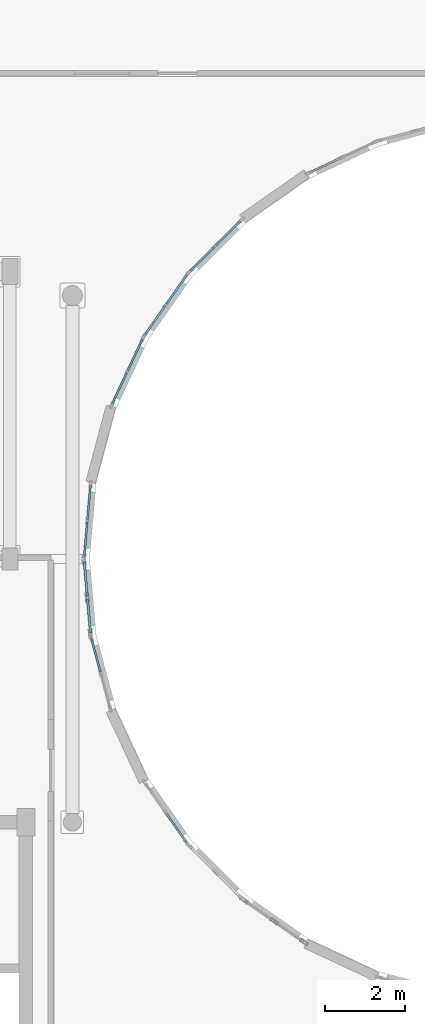
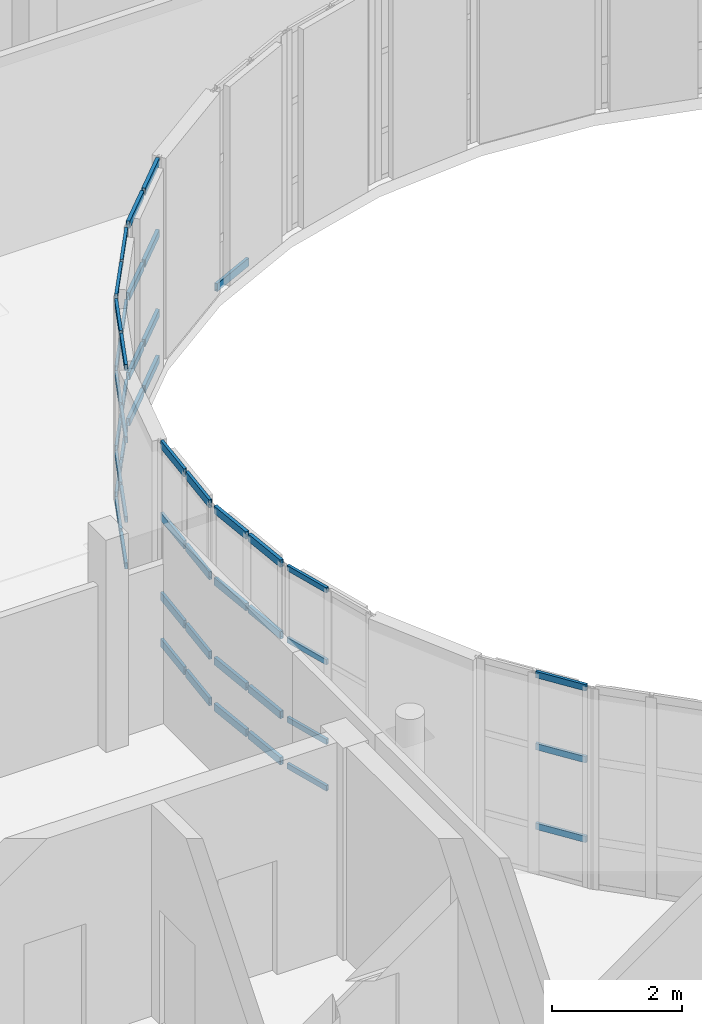
# One storey, part 47 of 89: 48 members, 8 elements without a shape of their own.
"""IFC4 building model written with IfcOpenShell, lengths in metres."""

from ifc_helpers import new_model, si_unit, direction, frame, origin, origin_2d, place, context, subcontext, project, spatial, hollow_rectangle, extrude, material, layer, layer_set, material_profile, profile_set, type_object, element, aggregate, save


model = new_model("IFC4")

# Units and contexts
model_context = context("Model", 3, precision=1e-05, world=origin(), true_north=direction((0.0, 1.0)))
body_context = subcontext(model_context, "Body", "Model", "MODEL_VIEW")
ifc_project = project(units=[si_unit("LENGTHUNIT", "METRE"), si_unit("AREAUNIT", "SQUARE_METRE"), si_unit("VOLUMEUNIT", "CUBIC_METRE"), si_unit("PLANEANGLEUNIT", "RADIAN"), si_unit("MASSUNIT", "GRAM", prefix="KILO")], contexts=[model_context])

# Site, building, storey
site_placement = place(None, origin())
site = spatial("IfcSite", under=ifc_project, at=site_placement, CompositionType="ELEMENT")
building_placement = place(site_placement, origin())
building = spatial("IfcBuilding", under=site, at=building_placement, Name="Kelanivale Promenade Academy", CompositionType="ELEMENT")
storey_placement = place(building_placement, frame((0.0, 0.0, 12.199951171875)))
storey = spatial("IfcBuildingStorey", under=building, at=storey_placement, Name="L03", CompositionType="ELEMENT", Elevation=12.199951171875)

# Curtain wall, members
ifc_material_1 = material(Name="Bronze anodised aluminium and solar-control low-E glass", Category="aluminium")
ifc_layer_1 = layer(ifc_material_1, 0.159912109375)
ifc_layer_set_1 = layer_set([ifc_layer_1], Name="Bronze anodised aluminium and solar-control low-E glass")
curtain_wall_type_1 = type_object("IfcCurtainWallType", Name="CW-21 Curtain Wall 1650mm Module", PredefinedType="USERDEFINED", material=ifc_layer_set_1)
curtain_wall_1_placement = place(storey_placement, origin())
curtain_wall_1 = element("IfcCurtainWall", 1, at=curtain_wall_1_placement, inside=storey, type_object=curtain_wall_type_1, Name="L03 courtyard curtain wall CW-21", ObjectType="COURTYARD SCREEN GLAZING", PredefinedType="USERDEFINED")
ifc_material_2 = material(Name="Bronze anodised aluminium EN AW-6063 T6", Category="aluminium")
ifc_material_profile_1 = material_profile(ifc_material_2, hollow_rectangle(XDim=0.050048828125, YDim=0.10009765625, WallThickness=0.0029296875, at=origin_2d()), Name="ALU 50x100x3.0")
ifc_profile_set_1 = profile_set([ifc_material_profile_1], Name="Bronze anodised aluminium EN AW-6063 T6")
member_type_1 = type_object("IfcMemberType", Name="CWT-01 ALU 50x100x3.0", PredefinedType="USERDEFINED", material=ifc_profile_set_1)
member_1_placement = place(storey_placement, frame((54.82470703125, 63.90185546875, 0.025146484375), z_axis=(-0.573745168069, -0.819033871166, 0.0), x_axis=(0.819033871166, -0.573745168069, 0.0)))
member_1 = element("IfcMember", 2, at=member_1_placement, type_object=member_type_1, Name="CW-21 transom 1.1", ObjectType="TRANSOM", PredefinedType="USERDEFINED", context=body_context, shape_type="SweptSolid", body=[
    extrude(hollow_rectangle(XDim=0.050048828125, YDim=0.10009765625, WallThickness=0.0029296875, at=origin_2d()), origin(), (0.0, 0.0, 1.0), 0.868896484375),
])
member_2_placement = place(storey_placement, frame((54.82470703125, 63.90185546875, 0.900146484375), z_axis=(-0.573745168069, -0.819033871166, 0.0), x_axis=(0.819033871166, -0.573745168069, 0.0)))
member_2 = element("IfcMember", 3, at=member_2_placement, type_object=member_type_1, Name="CW-21 transom 1.2", ObjectType="TRANSOM", PredefinedType="USERDEFINED", context=body_context, shape_type="SweptSolid", body=[
    extrude(hollow_rectangle(XDim=0.050048828125, YDim=0.10009765625, WallThickness=0.0029296875, at=origin_2d()), origin(), (0.0, 0.0, 1.0), 0.868896484375),
])
member_3_placement = place(storey_placement, frame((54.82470703125, 63.90185546875, 2.400146484375), z_axis=(-0.573745168069, -0.819033871166, 0.0), x_axis=(0.819033871166, -0.573745168069, 0.0)))
member_3 = element("IfcMember", 4, at=member_3_placement, type_object=member_type_1, Name="CW-21 transom 1.3", ObjectType="TRANSOM", PredefinedType="USERDEFINED", context=body_context, shape_type="SweptSolid", body=[
    extrude(hollow_rectangle(XDim=0.050048828125, YDim=0.10009765625, WallThickness=0.0029296875, at=origin_2d()), origin(), (0.0, 0.0, 1.0), 0.868896484375),
])
member_4_placement = place(storey_placement, frame((54.82470703125, 63.90185546875, 3.755126953125), z_axis=(-0.573745168069, -0.819033871166, 0.0), x_axis=(0.819033871166, -0.573745168069, 0.0)))
member_4 = element("IfcMember", 5, at=member_4_placement, type_object=member_type_1, Name="CW-21 transom 1.4", ObjectType="TRANSOM", PredefinedType="USERDEFINED", context=body_context, shape_type="SweptSolid", body=[
    extrude(hollow_rectangle(XDim=0.050048828125, YDim=0.10009765625, WallThickness=0.0029296875, at=origin_2d()), origin(), (0.0, 0.0, 1.0), 0.868896484375),
])
member_5_placement = place(storey_placement, frame((54.291748046875, 63.140869140625, 0.025146484375), z_axis=(-0.573556641726, -0.819165904278, 0.0), x_axis=(0.819165904278, -0.573556641726, 0.0)))
member_5 = element("IfcMember", 6, at=member_5_placement, type_object=member_type_1, Name="CW-21 transom 2.1", ObjectType="TRANSOM", PredefinedType="USERDEFINED", context=body_context, shape_type="SweptSolid", body=[
    extrude(hollow_rectangle(XDim=0.050048828125, YDim=0.10009765625, WallThickness=0.0029296875, at=origin_2d()), origin(), (0.0, 0.0, 1.0), 0.86865234375),
])
member_6_placement = place(storey_placement, frame((54.291748046875, 63.140869140625, 0.900146484375), z_axis=(-0.573556641726, -0.819165904278, 0.0), x_axis=(0.819165904278, -0.573556641726, 0.0)))
member_6 = element("IfcMember", 7, at=member_6_placement, type_object=member_type_1, Name="CW-21 transom 2.2", ObjectType="TRANSOM", PredefinedType="USERDEFINED", context=body_context, shape_type="SweptSolid", body=[
    extrude(hollow_rectangle(XDim=0.050048828125, YDim=0.10009765625, WallThickness=0.0029296875, at=origin_2d()), origin(), (0.0, 0.0, 1.0), 0.86865234375),
])
member_7_placement = place(storey_placement, frame((54.291748046875, 63.140869140625, 2.400146484375), z_axis=(-0.573556641726, -0.819165904278, 0.0), x_axis=(0.819165904278, -0.573556641726, 0.0)))
member_7 = element("IfcMember", 8, at=member_7_placement, type_object=member_type_1, Name="CW-21 transom 2.3", ObjectType="TRANSOM", PredefinedType="USERDEFINED", context=body_context, shape_type="SweptSolid", body=[
    extrude(hollow_rectangle(XDim=0.050048828125, YDim=0.10009765625, WallThickness=0.0029296875, at=origin_2d()), origin(), (0.0, 0.0, 1.0), 0.86865234375),
])
member_8_placement = place(storey_placement, frame((54.291748046875, 63.140869140625, 3.755126953125), z_axis=(-0.573556641726, -0.819165904278, 0.0), x_axis=(0.819165904278, -0.573556641726, 0.0)))
member_8 = element("IfcMember", 9, at=member_8_placement, type_object=member_type_1, Name="CW-21 transom 2.4", ObjectType="TRANSOM", PredefinedType="USERDEFINED", context=body_context, shape_type="SweptSolid", body=[
    extrude(hollow_rectangle(XDim=0.050048828125, YDim=0.10009765625, WallThickness=0.0029296875, at=origin_2d()), origin(), (0.0, 0.0, 1.0), 0.86865234375),
])
aggregate(curtain_wall_1, [member_1, member_2, member_3, member_4, member_5, member_6, member_7, member_8])

ifc_layer_2 = layer(ifc_material_1, 0.169921875)
ifc_layer_set_2 = layer_set([ifc_layer_2], Name="Bronze anodised aluminium and solar-control low-E glass")
curtain_wall_type_2 = type_object("IfcCurtainWallType", Name="CW-01 Curtain Wall 1350mm Module", PredefinedType="USERDEFINED", material=ifc_layer_set_2)
curtain_wall_2_placement = place(storey_placement, origin())
curtain_wall_2 = element("IfcCurtainWall", 10, at=curtain_wall_2_placement, inside=storey, type_object=curtain_wall_type_2, Name="L03 courtyard curtain wall CW-01", ObjectType="UNITISED GLAZING", PredefinedType="USERDEFINED")
member_9_placement = place(storey_placement, frame((52.447509765625, 54.796142578125, 0.025146484375), z_axis=(0.258438617024, -0.9660276814, 0.0), x_axis=(0.9660276814, 0.258438617024, 0.0)))
member_9 = element("IfcMember", 11, at=member_9_placement, type_object=member_type_1, Name="CW-01 transom 1.1", ObjectType="TRANSOM", PredefinedType="USERDEFINED", context=body_context, shape_type="SweptSolid", body=[
    extrude(hollow_rectangle(XDim=0.050048828125, YDim=0.10009765625, WallThickness=0.0029296875, at=origin_2d()), origin(), (0.0, 0.0, 1.0), 0.861572265625),
])
member_10_placement = place(storey_placement, frame((52.447509765625, 54.796142578125, 0.900146484375), z_axis=(0.258438617024, -0.9660276814, 0.0), x_axis=(0.9660276814, 0.258438617024, 0.0)))
member_10 = element("IfcMember", 12, at=member_10_placement, type_object=member_type_1, Name="CW-01 transom 1.2", ObjectType="TRANSOM", PredefinedType="USERDEFINED", context=body_context, shape_type="SweptSolid", body=[
    extrude(hollow_rectangle(XDim=0.050048828125, YDim=0.10009765625, WallThickness=0.0029296875, at=origin_2d()), origin(), (0.0, 0.0, 1.0), 0.861572265625),
])
member_11_placement = place(storey_placement, frame((52.447509765625, 54.796142578125, 2.400146484375), z_axis=(0.258438617024, -0.9660276814, 0.0), x_axis=(0.9660276814, 0.258438617024, 0.0)))
member_11 = element("IfcMember", 13, at=member_11_placement, type_object=member_type_1, Name="CW-01 transom 1.3", ObjectType="TRANSOM", PredefinedType="USERDEFINED", context=body_context, shape_type="SweptSolid", body=[
    extrude(hollow_rectangle(XDim=0.050048828125, YDim=0.10009765625, WallThickness=0.0029296875, at=origin_2d()), origin(), (0.0, 0.0, 1.0), 0.861572265625),
])
member_12_placement = place(storey_placement, frame((52.447509765625, 54.796142578125, 3.755126953125), z_axis=(0.258438617024, -0.9660276814, 0.0), x_axis=(0.9660276814, 0.258438617024, 0.0)))
member_12 = element("IfcMember", 14, at=member_12_placement, type_object=member_type_1, Name="CW-01 transom 1.4", ObjectType="TRANSOM", PredefinedType="USERDEFINED", context=body_context, shape_type="SweptSolid", body=[
    extrude(hollow_rectangle(XDim=0.050048828125, YDim=0.10009765625, WallThickness=0.0029296875, at=origin_2d()), origin(), (0.0, 0.0, 1.0), 0.861572265625),
])
aggregate(curtain_wall_2, [member_9, member_10, member_11, member_12])

ifc_layer_3 = layer(ifc_material_1, 0.169921875)
ifc_layer_set_3 = layer_set([ifc_layer_3], Name="Bronze anodised aluminium and solar-control low-E glass")
curtain_wall_type_3 = type_object("IfcCurtainWallType", Name="CW-22 Curtain Wall 1800mm Module", PredefinedType="USERDEFINED", material=ifc_layer_set_3)
curtain_wall_3_placement = place(storey_placement, origin())
curtain_wall_3 = element("IfcCurtainWall", 15, at=curtain_wall_3_placement, inside=storey, type_object=curtain_wall_type_3, Name="L03 courtyard curtain wall CW-22", ObjectType="COURTYARD SCREEN GLAZING", PredefinedType="USERDEFINED")
ifc_material_profile_2 = material_profile(ifc_material_2, hollow_rectangle(XDim=0.050048828125, YDim=0.1201171875, WallThickness=0.0029296875, at=origin_2d()), Name="ALU 50x120x3.0")
ifc_profile_set_2 = profile_set([ifc_material_profile_2], Name="Bronze anodised aluminium EN AW-6063 T6")
member_type_2 = type_object("IfcMemberType", Name="CWT-02 ALU 50x120x3.0", PredefinedType="USERDEFINED", material=ifc_profile_set_2)
member_13_placement = place(storey_placement, frame((53.7216796875, 62.3046875, 0.025146484375), z_axis=(-0.423133693303, -0.906067258868, 0.0), x_axis=(0.906067258868, -0.423133693303, 0.0)))
member_13 = element("IfcMember", 16, at=member_13_placement, type_object=member_type_2, Name="CW-22 transom 1.1", ObjectType="TRANSOM", PredefinedType="USERDEFINED", context=body_context, shape_type="SweptSolid", body=[
    extrude(hollow_rectangle(XDim=0.050048828125, YDim=0.1201171875, WallThickness=0.0029296875, at=origin_2d()), origin(), (0.0, 0.0, 1.0), 0.861328125),
])
member_14_placement = place(storey_placement, frame((53.7216796875, 62.3046875, 0.900146484375), z_axis=(-0.423133693303, -0.906067258868, 0.0), x_axis=(0.906067258868, -0.423133693303, 0.0)))
member_14 = element("IfcMember", 17, at=member_14_placement, type_object=member_type_2, Name="CW-22 transom 1.2", ObjectType="TRANSOM", PredefinedType="USERDEFINED", context=body_context, shape_type="SweptSolid", body=[
    extrude(hollow_rectangle(XDim=0.050048828125, YDim=0.1201171875, WallThickness=0.0029296875, at=origin_2d()), origin(), (0.0, 0.0, 1.0), 0.861328125),
])
member_15_placement = place(storey_placement, frame((53.7216796875, 62.3046875, 2.400146484375), z_axis=(-0.423133693303, -0.906067258868, 0.0), x_axis=(0.906067258868, -0.423133693303, 0.0)))
member_15 = element("IfcMember", 18, at=member_15_placement, type_object=member_type_2, Name="CW-22 transom 1.3", ObjectType="TRANSOM", PredefinedType="USERDEFINED", context=body_context, shape_type="SweptSolid", body=[
    extrude(hollow_rectangle(XDim=0.050048828125, YDim=0.1201171875, WallThickness=0.0029296875, at=origin_2d()), origin(), (0.0, 0.0, 1.0), 0.861328125),
])
member_16_placement = place(storey_placement, frame((53.7216796875, 62.3046875, 3.755126953125), z_axis=(-0.423133693303, -0.906067258868, 0.0), x_axis=(0.906067258868, -0.423133693303, 0.0)))
member_16 = element("IfcMember", 19, at=member_16_placement, type_object=member_type_2, Name="CW-22 transom 1.4", ObjectType="TRANSOM", PredefinedType="USERDEFINED", context=body_context, shape_type="SweptSolid", body=[
    extrude(hollow_rectangle(XDim=0.050048828125, YDim=0.1201171875, WallThickness=0.0029296875, at=origin_2d()), origin(), (0.0, 0.0, 1.0), 0.861328125),
])
member_17_placement = place(storey_placement, frame((53.331787109375, 61.4697265625, 0.025146484375), z_axis=(-0.423242374701, -0.906016496681, 0.0), x_axis=(0.906016496681, -0.423242374701, 0.0)))
member_17 = element("IfcMember", 20, at=member_17_placement, type_object=member_type_2, Name="CW-22 transom 2.1", ObjectType="TRANSOM", PredefinedType="USERDEFINED", context=body_context, shape_type="SweptSolid", body=[
    extrude(hollow_rectangle(XDim=0.050048828125, YDim=0.1201171875, WallThickness=0.0029296875, at=origin_2d()), origin(), (0.0, 0.0, 1.0), 0.861328125),
])
member_18_placement = place(storey_placement, frame((53.331787109375, 61.4697265625, 0.900146484375), z_axis=(-0.423242374701, -0.906016496681, 0.0), x_axis=(0.906016496681, -0.423242374701, 0.0)))
member_18 = element("IfcMember", 21, at=member_18_placement, type_object=member_type_2, Name="CW-22 transom 2.2", ObjectType="TRANSOM", PredefinedType="USERDEFINED", context=body_context, shape_type="SweptSolid", body=[
    extrude(hollow_rectangle(XDim=0.050048828125, YDim=0.1201171875, WallThickness=0.0029296875, at=origin_2d()), origin(), (0.0, 0.0, 1.0), 0.861328125),
])
member_19_placement = place(storey_placement, frame((53.331787109375, 61.4697265625, 2.400146484375), z_axis=(-0.423242374701, -0.906016496681, 0.0), x_axis=(0.906016496681, -0.423242374701, 0.0)))
member_19 = element("IfcMember", 22, at=member_19_placement, type_object=member_type_2, Name="CW-22 transom 2.3", ObjectType="TRANSOM", PredefinedType="USERDEFINED", context=body_context, shape_type="SweptSolid", body=[
    extrude(hollow_rectangle(XDim=0.050048828125, YDim=0.1201171875, WallThickness=0.0029296875, at=origin_2d()), origin(), (0.0, 0.0, 1.0), 0.861328125),
])
member_20_placement = place(storey_placement, frame((53.331787109375, 61.4697265625, 3.755126953125), z_axis=(-0.423242374701, -0.906016496681, 0.0), x_axis=(0.906016496681, -0.423242374701, 0.0)))
member_20 = element("IfcMember", 23, at=member_20_placement, type_object=member_type_2, Name="CW-22 transom 2.4", ObjectType="TRANSOM", PredefinedType="USERDEFINED", context=body_context, shape_type="SweptSolid", body=[
    extrude(hollow_rectangle(XDim=0.050048828125, YDim=0.1201171875, WallThickness=0.0029296875, at=origin_2d()), origin(), (0.0, 0.0, 1.0), 0.861328125),
])
aggregate(curtain_wall_3, [member_13, member_14, member_15, member_16, member_17, member_18, member_19, member_20])

ifc_layer_4 = layer(ifc_material_1, 0.179931640625)
ifc_layer_set_4 = layer_set([ifc_layer_4], Name="Bronze anodised aluminium and solar-control low-E glass")
curtain_wall_type_4 = type_object("IfcCurtainWallType", Name="CW-02 Curtain Wall 1500mm Module", PredefinedType="USERDEFINED", material=ifc_layer_set_4)
curtain_wall_4_placement = place(storey_placement, origin())
curtain_wall_4 = element("IfcCurtainWall", 24, at=curtain_wall_4_placement, inside=storey, type_object=curtain_wall_type_4, Name="L03 courtyard curtain wall CW-02", ObjectType="UNITISED GLAZING", PredefinedType="USERDEFINED")
member_21_placement = place(storey_placement, frame((54.330810546875, 50.40380859375, 0.900146484375), z_axis=(0.573462344363, -0.819231920519, 0.0), x_axis=(0.819231920519, 0.573462344363, 0.0)))
member_21 = element("IfcMember", 25, at=member_21_placement, type_object=member_type_2, Name="CW-02 transom 2.2", ObjectType="TRANSOM", PredefinedType="USERDEFINED", context=body_context, shape_type="SweptSolid", body=[
    extrude(hollow_rectangle(XDim=0.050048828125, YDim=0.1201171875, WallThickness=0.0029296875, at=origin_2d()), origin(), (0.0, 0.0, 1.0), 0.861328125),
])
member_22_placement = place(storey_placement, frame((54.330810546875, 50.40380859375, 2.400146484375), z_axis=(0.573462344363, -0.819231920519, 0.0), x_axis=(0.819231920519, 0.573462344363, 0.0)))
member_22 = element("IfcMember", 26, at=member_22_placement, type_object=member_type_2, Name="CW-02 transom 2.3", ObjectType="TRANSOM", PredefinedType="USERDEFINED", context=body_context, shape_type="SweptSolid", body=[
    extrude(hollow_rectangle(XDim=0.050048828125, YDim=0.1201171875, WallThickness=0.0029296875, at=origin_2d()), origin(), (0.0, 0.0, 1.0), 0.861328125),
])
member_23_placement = place(storey_placement, frame((54.330810546875, 50.40380859375, 3.755126953125), z_axis=(0.573462344363, -0.819231920519, 0.0), x_axis=(0.819231920519, 0.573462344363, 0.0)))
member_23 = element("IfcMember", 27, at=member_23_placement, type_object=member_type_2, Name="CW-02 transom 2.4", ObjectType="TRANSOM", PredefinedType="USERDEFINED", context=body_context, shape_type="SweptSolid", body=[
    extrude(hollow_rectangle(XDim=0.050048828125, YDim=0.1201171875, WallThickness=0.0029296875, at=origin_2d()), origin(), (0.0, 0.0, 1.0), 0.861328125),
])
aggregate(curtain_wall_4, [member_21, member_22, member_23])

# Curtain wall, member
ifc_layer_5 = layer(ifc_material_1, 0.169921875)
ifc_layer_set_5 = layer_set([ifc_layer_5], Name="Bronze anodised aluminium and solar-control low-E glass")
curtain_wall_type_5 = type_object("IfcCurtainWallType", Name="CW-19 Curtain Wall 1350mm Module", PredefinedType="USERDEFINED", material=ifc_layer_set_5)
curtain_wall_5_placement = place(storey_placement, origin())
curtain_wall_5 = element("IfcCurtainWall", 28, at=curtain_wall_5_placement, inside=storey, type_object=curtain_wall_type_5, Name="L03 courtyard curtain wall CW-19", ObjectType="COURTYARD SCREEN GLAZING", PredefinedType="USERDEFINED")
ifc_material_profile_3 = material_profile(ifc_material_2, hollow_rectangle(XDim=0.050048828125, YDim=0.14990234375, WallThickness=0.00341796875, at=origin_2d()), Name="ALU 50x150x3.5")
ifc_profile_set_3 = profile_set([ifc_material_profile_3], Name="Bronze anodised aluminium EN AW-6063 T6")
member_type_3 = type_object("IfcMemberType", Name="CWT-03 ALU 50x150x3.5", PredefinedType="USERDEFINED", material=ifc_profile_set_3)
member_24_placement = place(storey_placement, frame((58.6875, 66.84765625, 0.025146484375), z_axis=(-0.906168528984, -0.42291677323, 0.0), x_axis=(0.42291677323, -0.906168528984, 0.0)))
member_24 = element("IfcMember", 29, at=member_24_placement, type_object=member_type_3, Name="CW-19 transom 2.1", ObjectType="TRANSOM", PredefinedType="USERDEFINED", context=body_context, shape_type="SweptSolid", body=[
    extrude(hollow_rectangle(XDim=0.050048828125, YDim=0.14990234375, WallThickness=0.00341796875, at=origin_2d()), origin(), (0.0, 0.0, 1.0), 0.853759765625),
])
aggregate(curtain_wall_5, [member_24])

# Curtain wall, members
ifc_layer_6 = layer(ifc_material_1, 0.179931640625)
ifc_layer_set_6 = layer_set([ifc_layer_6], Name="Bronze anodised aluminium and solar-control low-E glass")
curtain_wall_type_6 = type_object("IfcCurtainWallType", Name="CW-23 Curtain Wall 1950mm Module", PredefinedType="USERDEFINED", material=ifc_layer_set_6)
curtain_wall_6_placement = place(storey_placement, origin())
curtain_wall_6 = element("IfcCurtainWall", 30, at=curtain_wall_6_placement, inside=storey, type_object=curtain_wall_type_6, Name="L03 courtyard curtain wall CW-23", ObjectType="COURTYARD SCREEN GLAZING", PredefinedType="USERDEFINED")
member_25_placement = place(storey_placement, frame((52.42138671875, 58.642333984375, 0.025146484375), z_axis=(-0.087234362353, -0.996187816641, 0.0), x_axis=(0.996187816641, -0.087234362353, 0.0)))
member_25 = element("IfcMember", 31, at=member_25_placement, type_object=member_type_3, Name="CW-23 transom 1.1", ObjectType="TRANSOM", PredefinedType="USERDEFINED", context=body_context, shape_type="SweptSolid", body=[
    extrude(hollow_rectangle(XDim=0.050048828125, YDim=0.14990234375, WallThickness=0.00341796875, at=origin_2d()), origin(), (0.0, 0.0, 1.0), 0.853515625),
])
member_26_placement = place(storey_placement, frame((52.42138671875, 58.642333984375, 0.900146484375), z_axis=(-0.087234362353, -0.996187816641, 0.0), x_axis=(0.996187816641, -0.087234362353, 0.0)))
member_26 = element("IfcMember", 32, at=member_26_placement, type_object=member_type_3, Name="CW-23 transom 1.2", ObjectType="TRANSOM", PredefinedType="USERDEFINED", context=body_context, shape_type="SweptSolid", body=[
    extrude(hollow_rectangle(XDim=0.050048828125, YDim=0.14990234375, WallThickness=0.00341796875, at=origin_2d()), origin(), (0.0, 0.0, 1.0), 0.853515625),
])
member_27_placement = place(storey_placement, frame((52.42138671875, 58.642333984375, 2.400146484375), z_axis=(-0.087234362353, -0.996187816641, 0.0), x_axis=(0.996187816641, -0.087234362353, 0.0)))
member_27 = element("IfcMember", 33, at=member_27_placement, type_object=member_type_3, Name="CW-23 transom 1.3", ObjectType="TRANSOM", PredefinedType="USERDEFINED", context=body_context, shape_type="SweptSolid", body=[
    extrude(hollow_rectangle(XDim=0.050048828125, YDim=0.14990234375, WallThickness=0.00341796875, at=origin_2d()), origin(), (0.0, 0.0, 1.0), 0.853515625),
])
member_28_placement = place(storey_placement, frame((52.42138671875, 58.642333984375, 3.755126953125), z_axis=(-0.087234362353, -0.996187816641, 0.0), x_axis=(0.996187816641, -0.087234362353, 0.0)))
member_28 = element("IfcMember", 34, at=member_28_placement, type_object=member_type_3, Name="CW-23 transom 1.4", ObjectType="TRANSOM", PredefinedType="USERDEFINED", context=body_context, shape_type="SweptSolid", body=[
    extrude(hollow_rectangle(XDim=0.050048828125, YDim=0.14990234375, WallThickness=0.00341796875, at=origin_2d()), origin(), (0.0, 0.0, 1.0), 0.853515625),
])
member_29_placement = place(storey_placement, frame((52.341064453125, 57.72705078125, 0.025146484375), z_axis=(-0.087234362353, -0.996187816641, 0.0), x_axis=(0.996187816641, -0.087234362353, 0.0)))
member_29 = element("IfcMember", 35, at=member_29_placement, type_object=member_type_3, Name="CW-23 transom 2.1", ObjectType="TRANSOM", PredefinedType="USERDEFINED", context=body_context, shape_type="SweptSolid", body=[
    extrude(hollow_rectangle(XDim=0.050048828125, YDim=0.14990234375, WallThickness=0.00341796875, at=origin_2d()), origin(), (0.0, 0.0, 1.0), 0.853515625),
])
member_30_placement = place(storey_placement, frame((52.341064453125, 57.72705078125, 0.900146484375), z_axis=(-0.087234362353, -0.996187816641, 0.0), x_axis=(0.996187816641, -0.087234362353, 0.0)))
member_30 = element("IfcMember", 36, at=member_30_placement, type_object=member_type_3, Name="CW-23 transom 2.2", ObjectType="TRANSOM", PredefinedType="USERDEFINED", context=body_context, shape_type="SweptSolid", body=[
    extrude(hollow_rectangle(XDim=0.050048828125, YDim=0.14990234375, WallThickness=0.00341796875, at=origin_2d()), origin(), (0.0, 0.0, 1.0), 0.853515625),
])
member_31_placement = place(storey_placement, frame((52.341064453125, 57.72705078125, 2.400146484375), z_axis=(-0.087234362353, -0.996187816641, 0.0), x_axis=(0.996187816641, -0.087234362353, 0.0)))
member_31 = element("IfcMember", 37, at=member_31_placement, type_object=member_type_3, Name="CW-23 transom 2.3", ObjectType="TRANSOM", PredefinedType="USERDEFINED", context=body_context, shape_type="SweptSolid", body=[
    extrude(hollow_rectangle(XDim=0.050048828125, YDim=0.14990234375, WallThickness=0.00341796875, at=origin_2d()), origin(), (0.0, 0.0, 1.0), 0.853515625),
])
member_32_placement = place(storey_placement, frame((52.341064453125, 57.72705078125, 3.755126953125), z_axis=(-0.087234362353, -0.996187816641, 0.0), x_axis=(0.996187816641, -0.087234362353, 0.0)))
member_32 = element("IfcMember", 38, at=member_32_placement, type_object=member_type_3, Name="CW-23 transom 2.4", ObjectType="TRANSOM", PredefinedType="USERDEFINED", context=body_context, shape_type="SweptSolid", body=[
    extrude(hollow_rectangle(XDim=0.050048828125, YDim=0.14990234375, WallThickness=0.00341796875, at=origin_2d()), origin(), (0.0, 0.0, 1.0), 0.853515625),
])
aggregate(curtain_wall_6, [member_25, member_26, member_27, member_28, member_29, member_30, member_31, member_32])

ifc_layer_7 = layer(ifc_material_1, 0.179931640625)
ifc_layer_set_7 = layer_set([ifc_layer_7], Name="Bronze anodised aluminium and solar-control low-E glass")
curtain_wall_type_7 = type_object("IfcCurtainWallType", Name="CW-20 Curtain Wall 1500mm Module", PredefinedType="USERDEFINED", material=ifc_layer_set_7)
curtain_wall_7_placement = place(storey_placement, origin())
curtain_wall_7 = element("IfcCurtainWall", 39, at=curtain_wall_7_placement, inside=storey, type_object=curtain_wall_type_7, Name="L03 courtyard curtain wall CW-20", ObjectType="COURTYARD SCREEN GLAZING", PredefinedType="USERDEFINED")
ifc_material_profile_4 = material_profile(ifc_material_2, hollow_rectangle(XDim=0.06005859375, YDim=0.139892578125, WallThickness=0.00341796875, at=origin_2d()), Name="ALU 60x140x3.5")
ifc_profile_set_4 = profile_set([ifc_material_profile_4], Name="Bronze anodised aluminium EN AW-6063 T6")
member_type_4 = type_object("IfcMemberType", Name="CWT-04 ALU 60x140x3.5", PredefinedType="USERDEFINED", material=ifc_profile_set_4)
member_33_placement = place(storey_placement, frame((56.173095703125, 65.26806640625, 0.030029296875), z_axis=(-0.707106781187, -0.707106781187, 0.0), x_axis=(0.707106781187, -0.707106781187, 0.0)))
member_33 = element("IfcMember", 40, at=member_33_placement, type_object=member_type_4, Name="CW-20 transom 1.1", ObjectType="TRANSOM", PredefinedType="USERDEFINED", context=body_context, shape_type="SweptSolid", body=[
    extrude(hollow_rectangle(XDim=0.06005859375, YDim=0.139892578125, WallThickness=0.00341796875, at=origin_2d()), origin(), (0.0, 0.0, 1.0), 0.852783203125),
])
member_34_placement = place(storey_placement, frame((56.173095703125, 65.26806640625, 0.900146484375), z_axis=(-0.707106781187, -0.707106781187, 0.0), x_axis=(0.707106781187, -0.707106781187, 0.0)))
member_34 = element("IfcMember", 41, at=member_34_placement, type_object=member_type_4, Name="CW-20 transom 1.2", ObjectType="TRANSOM", PredefinedType="USERDEFINED", context=body_context, shape_type="SweptSolid", body=[
    extrude(hollow_rectangle(XDim=0.06005859375, YDim=0.139892578125, WallThickness=0.00341796875, at=origin_2d()), origin(), (0.0, 0.0, 1.0), 0.852783203125),
])
member_35_placement = place(storey_placement, frame((56.173095703125, 65.26806640625, 2.400146484375), z_axis=(-0.707106781187, -0.707106781187, 0.0), x_axis=(0.707106781187, -0.707106781187, 0.0)))
member_35 = element("IfcMember", 42, at=member_35_placement, type_object=member_type_4, Name="CW-20 transom 1.3", ObjectType="TRANSOM", PredefinedType="USERDEFINED", context=body_context, shape_type="SweptSolid", body=[
    extrude(hollow_rectangle(XDim=0.06005859375, YDim=0.139892578125, WallThickness=0.00341796875, at=origin_2d()), origin(), (0.0, 0.0, 1.0), 0.852783203125),
])
member_36_placement = place(storey_placement, frame((56.173095703125, 65.26806640625, 3.75), z_axis=(-0.707106781187, -0.707106781187, 0.0), x_axis=(0.707106781187, -0.707106781187, 0.0)))
member_36 = element("IfcMember", 43, at=member_36_placement, type_object=member_type_4, Name="CW-20 transom 1.4", ObjectType="TRANSOM", PredefinedType="USERDEFINED", context=body_context, shape_type="SweptSolid", body=[
    extrude(hollow_rectangle(XDim=0.06005859375, YDim=0.139892578125, WallThickness=0.00341796875, at=origin_2d()), origin(), (0.0, 0.0, 1.0), 0.852783203125),
])
member_37_placement = place(storey_placement, frame((55.52392578125, 64.619140625, 0.030029296875), z_axis=(-0.706963656653, -0.707249876757, 0.0), x_axis=(0.707249876757, -0.706963656653, 0.0)))
member_37 = element("IfcMember", 44, at=member_37_placement, type_object=member_type_4, Name="CW-20 transom 2.1", ObjectType="TRANSOM", PredefinedType="USERDEFINED", context=body_context, shape_type="SweptSolid", body=[
    extrude(hollow_rectangle(XDim=0.06005859375, YDim=0.139892578125, WallThickness=0.00341796875, at=origin_2d()), origin(), (0.0, 0.0, 1.0), 0.85302734375),
])
member_38_placement = place(storey_placement, frame((55.52392578125, 64.619140625, 0.900146484375), z_axis=(-0.706963656653, -0.707249876757, 0.0), x_axis=(0.707249876757, -0.706963656653, 0.0)))
member_38 = element("IfcMember", 45, at=member_38_placement, type_object=member_type_4, Name="CW-20 transom 2.2", ObjectType="TRANSOM", PredefinedType="USERDEFINED", context=body_context, shape_type="SweptSolid", body=[
    extrude(hollow_rectangle(XDim=0.06005859375, YDim=0.139892578125, WallThickness=0.00341796875, at=origin_2d()), origin(), (0.0, 0.0, 1.0), 0.85302734375),
])
member_39_placement = place(storey_placement, frame((55.52392578125, 64.619140625, 2.400146484375), z_axis=(-0.706963656653, -0.707249876757, 0.0), x_axis=(0.707249876757, -0.706963656653, 0.0)))
member_39 = element("IfcMember", 46, at=member_39_placement, type_object=member_type_4, Name="CW-20 transom 2.3", ObjectType="TRANSOM", PredefinedType="USERDEFINED", context=body_context, shape_type="SweptSolid", body=[
    extrude(hollow_rectangle(XDim=0.06005859375, YDim=0.139892578125, WallThickness=0.00341796875, at=origin_2d()), origin(), (0.0, 0.0, 1.0), 0.85302734375),
])
member_40_placement = place(storey_placement, frame((55.52392578125, 64.619140625, 3.75), z_axis=(-0.706963656653, -0.707249876757, 0.0), x_axis=(0.707249876757, -0.706963656653, 0.0)))
member_40 = element("IfcMember", 47, at=member_40_placement, type_object=member_type_4, Name="CW-20 transom 2.4", ObjectType="TRANSOM", PredefinedType="USERDEFINED", context=body_context, shape_type="SweptSolid", body=[
    extrude(hollow_rectangle(XDim=0.06005859375, YDim=0.139892578125, WallThickness=0.00341796875, at=origin_2d()), origin(), (0.0, 0.0, 1.0), 0.85302734375),
])
aggregate(curtain_wall_7, [member_33, member_34, member_35, member_36, member_37, member_38, member_39, member_40])

ifc_layer_8 = layer(ifc_material_1, 0.159912109375)
ifc_layer_set_8 = layer_set([ifc_layer_8], Name="Bronze anodised aluminium and solar-control low-E glass")
curtain_wall_type_8 = type_object("IfcCurtainWallType", Name="CW-24 Curtain Wall 1200mm Module", PredefinedType="USERDEFINED", material=ifc_layer_set_8)
curtain_wall_8_placement = place(storey_placement, origin())
curtain_wall_8 = element("IfcCurtainWall", 48, at=curtain_wall_8_placement, inside=storey, type_object=curtain_wall_type_8, Name="L03 courtyard curtain wall CW-24", ObjectType="COURTYARD SCREEN GLAZING", PredefinedType="USERDEFINED")
member_41_placement = place(storey_placement, frame((52.2666015625, 56.72314453125, 0.030029296875), z_axis=(0.087057898895, -0.996203253478, 0.0), x_axis=(0.996203253478, 0.087057898895, 0.0)))
member_41 = element("IfcMember", 49, at=member_41_placement, type_object=member_type_4, Name="CW-24 transom 1.1", ObjectType="TRANSOM", PredefinedType="USERDEFINED", context=body_context, shape_type="SweptSolid", body=[
    extrude(hollow_rectangle(XDim=0.06005859375, YDim=0.139892578125, WallThickness=0.00341796875, at=origin_2d()), origin(), (0.0, 0.0, 1.0), 0.86083984375),
])
member_42_placement = place(storey_placement, frame((52.2666015625, 56.72314453125, 0.900146484375), z_axis=(0.087057898895, -0.996203253478, 0.0), x_axis=(0.996203253478, 0.087057898895, 0.0)))
member_42 = element("IfcMember", 50, at=member_42_placement, type_object=member_type_4, Name="CW-24 transom 1.2", ObjectType="TRANSOM", PredefinedType="USERDEFINED", context=body_context, shape_type="SweptSolid", body=[
    extrude(hollow_rectangle(XDim=0.06005859375, YDim=0.139892578125, WallThickness=0.00341796875, at=origin_2d()), origin(), (0.0, 0.0, 1.0), 0.86083984375),
])
member_43_placement = place(storey_placement, frame((52.2666015625, 56.72314453125, 2.400146484375), z_axis=(0.087057898895, -0.996203253478, 0.0), x_axis=(0.996203253478, 0.087057898895, 0.0)))
member_43 = element("IfcMember", 51, at=member_43_placement, type_object=member_type_4, Name="CW-24 transom 1.3", ObjectType="TRANSOM", PredefinedType="USERDEFINED", context=body_context, shape_type="SweptSolid", body=[
    extrude(hollow_rectangle(XDim=0.06005859375, YDim=0.139892578125, WallThickness=0.00341796875, at=origin_2d()), origin(), (0.0, 0.0, 1.0), 0.86083984375),
])
member_44_placement = place(storey_placement, frame((52.2666015625, 56.72314453125, 3.75), z_axis=(0.087057898895, -0.996203253478, 0.0), x_axis=(0.996203253478, 0.087057898895, 0.0)))
member_44 = element("IfcMember", 52, at=member_44_placement, type_object=member_type_4, Name="CW-24 transom 1.4", ObjectType="TRANSOM", PredefinedType="USERDEFINED", context=body_context, shape_type="SweptSolid", body=[
    extrude(hollow_rectangle(XDim=0.06005859375, YDim=0.139892578125, WallThickness=0.00341796875, at=origin_2d()), origin(), (0.0, 0.0, 1.0), 0.86083984375),
])
member_45_placement = place(storey_placement, frame((52.347412109375, 55.800537109375, 0.030029296875), z_axis=(0.087057898895, -0.996203253478, 0.0), x_axis=(0.996203253478, 0.087057898895, 0.0)))
member_45 = element("IfcMember", 53, at=member_45_placement, type_object=member_type_4, Name="CW-24 transom 2.1", ObjectType="TRANSOM", PredefinedType="USERDEFINED", context=body_context, shape_type="SweptSolid", body=[
    extrude(hollow_rectangle(XDim=0.06005859375, YDim=0.139892578125, WallThickness=0.00341796875, at=origin_2d()), origin(), (0.0, 0.0, 1.0), 0.86083984375),
])
member_46_placement = place(storey_placement, frame((52.347412109375, 55.800537109375, 0.900146484375), z_axis=(0.087057898895, -0.996203253478, 0.0), x_axis=(0.996203253478, 0.087057898895, 0.0)))
member_46 = element("IfcMember", 54, at=member_46_placement, type_object=member_type_4, Name="CW-24 transom 2.2", ObjectType="TRANSOM", PredefinedType="USERDEFINED", context=body_context, shape_type="SweptSolid", body=[
    extrude(hollow_rectangle(XDim=0.06005859375, YDim=0.139892578125, WallThickness=0.00341796875, at=origin_2d()), origin(), (0.0, 0.0, 1.0), 0.86083984375),
])
member_47_placement = place(storey_placement, frame((52.347412109375, 55.800537109375, 2.400146484375), z_axis=(0.087057898895, -0.996203253478, 0.0), x_axis=(0.996203253478, 0.087057898895, 0.0)))
member_47 = element("IfcMember", 55, at=member_47_placement, type_object=member_type_4, Name="CW-24 transom 2.3", ObjectType="TRANSOM", PredefinedType="USERDEFINED", context=body_context, shape_type="SweptSolid", body=[
    extrude(hollow_rectangle(XDim=0.06005859375, YDim=0.139892578125, WallThickness=0.00341796875, at=origin_2d()), origin(), (0.0, 0.0, 1.0), 0.86083984375),
])
member_48_placement = place(storey_placement, frame((52.347412109375, 55.800537109375, 3.75), z_axis=(0.087057898895, -0.996203253478, 0.0), x_axis=(0.996203253478, 0.087057898895, 0.0)))
member_48 = element("IfcMember", 56, at=member_48_placement, type_object=member_type_4, Name="CW-24 transom 2.4", ObjectType="TRANSOM", PredefinedType="USERDEFINED", context=body_context, shape_type="SweptSolid", body=[
    extrude(hollow_rectangle(XDim=0.06005859375, YDim=0.139892578125, WallThickness=0.00341796875, at=origin_2d()), origin(), (0.0, 0.0, 1.0), 0.86083984375),
])
aggregate(curtain_wall_8, [member_41, member_42, member_43, member_44, member_45, member_46, member_47, member_48])

save(model, "model.ifc")
